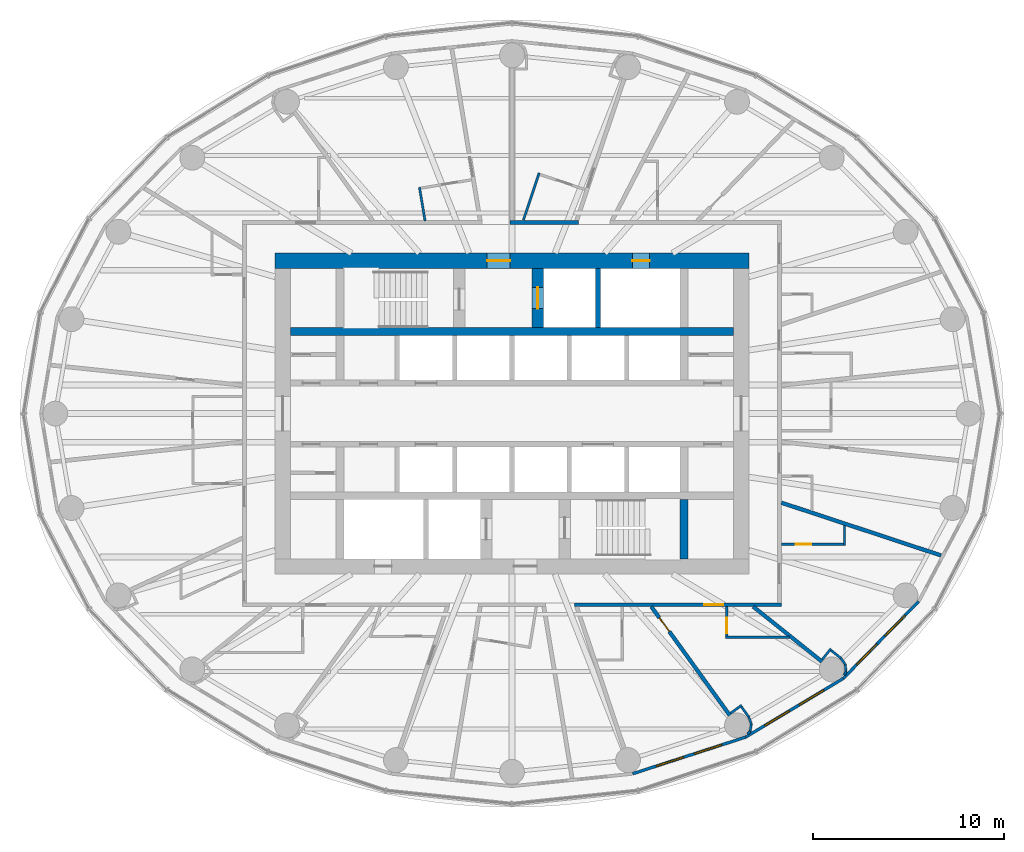
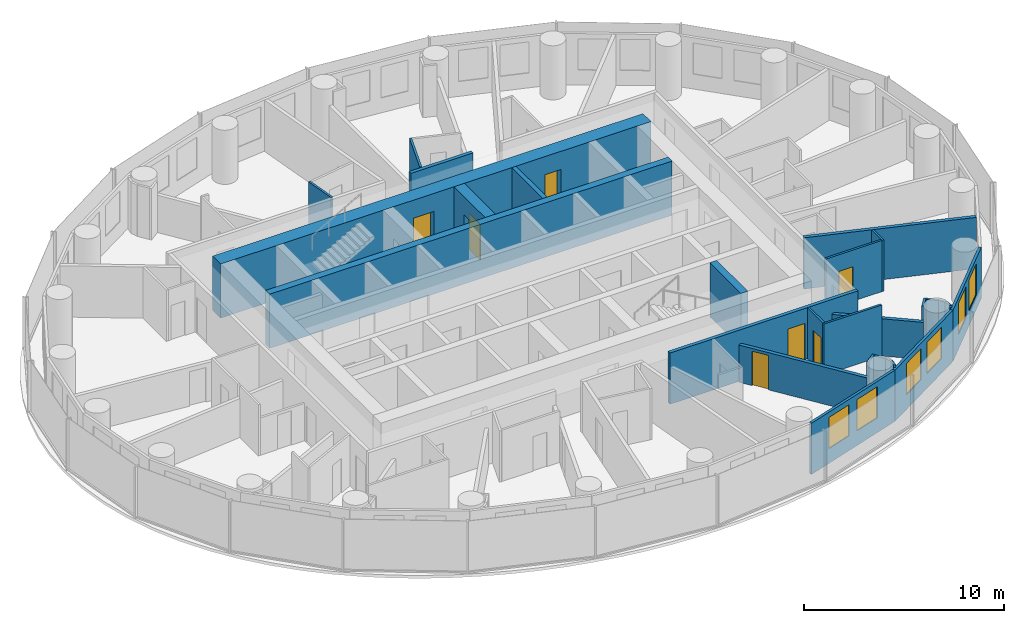
# One storey, part 9 of 13: 29 walls, 7 doors, 6 windows, 13 openings.
"""IFC4 building model written with IfcOpenShell, lengths in metres."""

from ifc_helpers import new_model, si_unit, direction, frame, frame_2d, origin, place, context, subcontext, project, spatial, rectangle, extrude, material, layer, layer_set, type_object, element, fill, save


model = new_model("IFC4")

# Units and contexts
model_context = context("Model", 3, precision=1e-05, world=origin(), true_north=direction((0.0, 1.0)))
body_context = subcontext(model_context, "Body", "Model", "MODEL_VIEW")
ifc_project = project(units=[si_unit("LENGTHUNIT", "METRE"), si_unit("AREAUNIT", "SQUARE_METRE"), si_unit("VOLUMEUNIT", "CUBIC_METRE"), si_unit("PLANEANGLEUNIT", "RADIAN"), si_unit("MASSUNIT", "GRAM", prefix="KILO")], contexts=[model_context])

# Site, building, storey
site_placement = place(None, origin())
site = spatial("IfcSite", under=ifc_project, at=site_placement, CompositionType="ELEMENT")
building_placement = place(site_placement, origin())
building = spatial("IfcBuilding", under=site, at=building_placement, Name="Hankou Lantern Tower", CompositionType="ELEMENT")
storey_placement = place(building_placement, frame((0.0, 0.0, 132.0)))
storey = spatial("IfcBuildingStorey", under=building, at=storey_placement, Name="L34", CompositionType="ELEMENT", Elevation=132.0)

# Wall, openings, doors
ifc_material_1 = material(Name="Concrete C60", Category="concrete")
ifc_layer_1 = layer(ifc_material_1, 0.800048828125)
ifc_layer_set_1 = layer_set([ifc_layer_1], Name="Concrete C60")
wall_type_1 = type_object("IfcWallType", Name="CW2 CORE WALL 800", PredefinedType="SHEAR", material=ifc_layer_set_1)
wall_1_placement = place(storey_placement, frame((-12.39990234375, 8.0, 0.0), z_axis=(0.0, 0.0, 1.0), x_axis=(1.0, 0.0, 0.0)))
wall_1 = element("IfcWall", 1, at=wall_1_placement, inside=storey, type_object=wall_type_1, Name="Core wall north L34", PredefinedType="SHEAR", context=body_context, shape_type="SweptSolid", body=[
    extrude(rectangle(XDim=24.7998046875, YDim=0.800048828125, at=frame_2d((12.39990234375, 0.0))), origin(), (0.0, 0.0, 1.0), 3.300048828125),
])
opening_1_placement = place(wall_1_placement, frame((11.10009765625, 0.0, 0.0)))
opening_1 = element("IfcOpeningElement", 2, at=opening_1_placement, cuts=wall_1, Name="Opening D5", PredefinedType="OPENING", context=body_context, shape_type="SweptSolid", body=[
    extrude(rectangle(XDim=1.199951171875, YDim=2.199951171875, at=frame_2d((0.60009765625, 1.10009765625))), frame((0.0, 0.409912109375, 0.0), z_axis=(0.0, -1.0, 0.0), x_axis=(1.0, 0.0, 0.0)), (0.0, 0.0, 1.0), 0.820068359375),
])
opening_2_placement = place(wall_1_placement, frame((18.699951171875, 0.0, 0.0)))
opening_2 = element("IfcOpeningElement", 3, at=opening_2_placement, cuts=wall_1, Name="Opening D7", PredefinedType="OPENING", context=body_context, shape_type="SweptSolid", body=[
    extrude(rectangle(XDim=0.89990234375, YDim=2.199951171875, at=frame_2d((0.449951171875, 1.10009765625))), frame((0.0, 0.409912109375, 0.0), z_axis=(0.0, -1.0, 0.0), x_axis=(1.0, 0.0, 0.0)), (0.0, 0.0, 1.0), 0.820068359375),
])
ifc_material_2 = material(Name="Steel door leaf", Category="steel")
door_type_1 = type_object("IfcDoorType", Name="D5 STAIR LOBBY DOOR 1200X2200", OperationType="SINGLE_SWING_LEFT", PredefinedType="DOOR", material=ifc_material_2)
door_1_placement = place(opening_1_placement, origin())
door_1 = element("IfcDoor", 4, at=door_1_placement, inside=storey, type_object=door_type_1, Name="Stair A lobby door", OperationType="SINGLE_SWING_LEFT", OverallHeight=2.199951171875, OverallWidth=1.199951171875, PredefinedType="DOOR", context=body_context, shape_type="SweptSolid", body=[
    extrude(rectangle(XDim=1.199951171875, YDim=2.199951171875, at=frame_2d((0.60009765625, 1.10009765625))), frame((0.0, 0.02490234375, 0.0), z_axis=(0.0, -1.0, 0.0), x_axis=(1.0, 0.0, 0.0)), (0.0, 0.0, 1.0), 0.050048828125),
])
fill(opening_1, door_1)
ifc_material_3 = material(Name="Steel door leaf", Category="steel")
door_type_2 = type_object("IfcDoorType", Name="D7 RISER DOOR 900X2200", OperationType="SINGLE_SWING_LEFT", PredefinedType="DOOR", material=ifc_material_3)
door_2_placement = place(opening_2_placement, origin())
door_2 = element("IfcDoor", 5, at=door_2_placement, inside=storey, type_object=door_type_2, Name="Riser N1 door", OperationType="SINGLE_SWING_RIGHT", OverallHeight=2.199951171875, OverallWidth=0.89990234375, PredefinedType="DOOR", context=body_context, shape_type="SweptSolid", body=[
    extrude(rectangle(XDim=0.89990234375, YDim=2.199951171875, at=frame_2d((0.449951171875, 1.10009765625))), frame((0.0, 0.02490234375, 0.0), z_axis=(0.0, -1.0, 0.0), x_axis=(1.0, 0.0, 0.0)), (0.0, 0.0, 1.0), 0.050048828125),
])
fill(opening_2, door_2)

# Walls
ifc_material_4 = material(Name="Concrete C60", Category="concrete")
ifc_layer_2 = layer(ifc_material_4, 0.39990234375)
ifc_layer_set_2 = layer_set([ifc_layer_2], Name="Concrete C60")
wall_type_2 = type_object("IfcWallType", Name="CW4 CORE CROSS WALL 400", PredefinedType="SHEAR", material=ifc_layer_set_2)
wall_2_placement = place(storey_placement, frame((-11.60009765625, 4.300048828125, 0.0), z_axis=(0.0, 0.0, 1.0), x_axis=(1.0, 0.0, 0.0)))
element("IfcWall", 6, at=wall_2_placement, inside=storey, type_object=wall_type_2, Name="Core band wall north L34", PredefinedType="SHEAR", context=body_context, shape_type="SweptSolid", body=[
    extrude(rectangle(XDim=23.2001953125, YDim=0.39990234375, at=frame_2d((11.60009765625, 0.0))), origin(), (0.0, 0.0, 1.0), 3.300048828125),
])
wall_3_placement = place(storey_placement, frame((9.0, -7.60009765625, 0.0), z_axis=(0.0, 0.0, 1.0), x_axis=(0.0, 1.0, 0.0)))
element("IfcWall", 7, at=wall_3_placement, inside=storey, type_object=wall_type_2, Name="Core strip wall L34", PredefinedType="SHEAR", context=body_context, shape_type="SweptSolid", body=[
    extrude(rectangle(XDim=3.10009765625, YDim=0.39990234375, at=frame_2d((1.550048828125, 0.0))), origin(), (0.0, 0.0, 1.0), 3.300048828125),
])

# Wall, opening, door
ifc_material_5 = material(Name="Concrete C60", Category="concrete")
ifc_layer_3 = layer(ifc_material_5, 0.60009765625)
ifc_layer_set_3 = layer_set([ifc_layer_3], Name="Concrete C60")
wall_type_3 = type_object("IfcWallType", Name="CW6 STAIR AND SHAFT WALL 600", PredefinedType="SHEAR", material=ifc_layer_set_3)
wall_4_placement = place(storey_placement, frame((1.35009765625, 4.5, 0.0), z_axis=(0.0, 0.0, 1.0), x_axis=(0.0, 1.0, 0.0)))
wall_4 = element("IfcWall", 8, at=wall_4_placement, inside=storey, type_object=wall_type_3, Name="Firefighting lift shaft wall L34", PredefinedType="SHEAR", context=body_context, shape_type="SweptSolid", body=[
    extrude(rectangle(XDim=3.10009765625, YDim=0.60009765625, at=frame_2d((1.550048828125, 0.0))), origin(), (0.0, 0.0, 1.0), 3.300048828125),
])
opening_3_placement = place(wall_4_placement, frame((1.0, 0.0, 0.0)))
opening_3 = element("IfcOpeningElement", 9, at=opening_3_placement, cuts=wall_4, Name="Opening LD2", PredefinedType="OPENING", context=body_context, shape_type="SweptSolid", body=[
    extrude(rectangle(XDim=1.10009765625, YDim=2.199951171875, at=frame_2d((0.550048828125, 1.10009765625))), frame((0.0, 0.31005859375, 0.0), z_axis=(0.0, -1.0, 0.0), x_axis=(1.0, 0.0, 0.0)), (0.0, 0.0, 1.0), 0.6201171875),
])
ifc_material_6 = material(Name="Steel door leaf", Category="steel")
door_type_3 = type_object("IfcDoorType", Name="LD2 FIREFIGHTING LIFT LANDING DOOR 1100X2200", OperationType="DOUBLE_DOOR_SLIDING", PredefinedType="DOOR", material=ifc_material_6)
door_3_placement = place(opening_3_placement, origin())
door_3 = element("IfcDoor", 10, at=door_3_placement, inside=storey, type_object=door_type_3, Name="Firefighting lift FL1 landing door", OperationType="DOUBLE_DOOR_SLIDING", OverallHeight=2.199951171875, OverallWidth=1.10009765625, PredefinedType="DOOR", context=body_context, shape_type="SweptSolid", body=[
    extrude(rectangle(XDim=1.10009765625, YDim=2.199951171875, at=frame_2d((0.550048828125, 1.10009765625))), frame((0.0, 0.02490234375, 0.0), z_axis=(0.0, -1.0, 0.0), x_axis=(1.0, 0.0, 0.0)), (0.0, 0.0, 1.0), 0.050048828125),
])
fill(opening_3, door_3)

# Wall, openings, windows
ifc_material_7 = material(Name="Aluminium spandrel panel on steel studs", Category="steel")
ifc_layer_4 = layer(ifc_material_7, 0.14990234375)
ifc_layer_set_4 = layer_set([ifc_layer_4], Name="Aluminium spandrel panel on steel studs")
wall_type_4 = type_object("IfcWallType", Name="EW1 INNER SKIN WALL 150", PredefinedType="ELEMENTEDWALL", material=ifc_layer_set_4)
wall_5_placement = place(storey_placement, frame((6.3134765625, -18.849609375, 0.0), z_axis=(0.0, 0.0, 1.0), x_axis=(0.951272691506, 0.308350881944, 0.0)))
wall_5 = element("IfcWall", 11, at=wall_5_placement, inside=storey, type_object=wall_type_4, Name="Inner skin R20-R21 L34", PredefinedType="ELEMENTEDWALL", context=body_context, shape_type="SweptSolid", body=[
    extrude(rectangle(XDim=6.210693359375, YDim=0.14990234375, at=frame_2d((3.10546875, 0.0))), origin(), (0.0, 0.0, 1.0), 3.1201171875),
])
opening_4_placement = place(wall_5_placement, frame((1.305419921875, 0.0, 0.89990234375)))
opening_4 = element("IfcOpeningElement", 12, at=opening_4_placement, cuts=wall_5, Name="Opening W2", PredefinedType="OPENING", context=body_context, shape_type="SweptSolid", body=[
    extrude(rectangle(XDim=1.5, YDim=1.89990234375, at=frame_2d((0.75, 0.949951171875))), frame((0.0, 0.0849609375, 0.0), z_axis=(0.0, -1.0, 0.0), x_axis=(1.0, 0.0, 0.0)), (0.0, 0.0, 1.0), 0.169921875),
])
opening_5_placement = place(wall_5_placement, frame((3.4052734375, 0.0, 0.89990234375)))
opening_5 = element("IfcOpeningElement", 13, at=opening_5_placement, cuts=wall_5, Name="Opening W2", PredefinedType="OPENING", context=body_context, shape_type="SweptSolid", body=[
    extrude(rectangle(XDim=1.5, YDim=1.89990234375, at=frame_2d((0.75, 0.949951171875))), frame((0.0, 0.0849609375, 0.0), z_axis=(0.0, -1.0, 0.0), x_axis=(1.0, 0.0, 0.0)), (0.0, 0.0, 1.0), 0.169921875),
])
ifc_material_8 = material(Name="Aluminium framed double glazed window", Category="aluminium")
window_type = type_object("IfcWindowType", Name="W2 GUEST ROOM WINDOW 1500X1900", PartitioningType="DOUBLE_PANEL_VERTICAL", PredefinedType="WINDOW", material=ifc_material_8)
window_1_placement = place(opening_4_placement, origin())
window_1 = element("IfcWindow", 14, at=window_1_placement, inside=storey, type_object=window_type, Name="Window R20.1 L34", OverallHeight=1.89990234375, OverallWidth=1.5, PartitioningType="SINGLE_PANEL", PredefinedType="WINDOW", context=body_context, shape_type="SweptSolid", body=[
    extrude(rectangle(XDim=1.5, YDim=1.89990234375, at=frame_2d((0.75, 0.949951171875))), frame((0.0, 0.030029296875, 0.0), z_axis=(0.0, -1.0, 0.0), x_axis=(1.0, 0.0, 0.0)), (0.0, 0.0, 1.0), 0.06005859375),
])
fill(opening_4, window_1)
window_2_placement = place(opening_5_placement, origin())
window_2 = element("IfcWindow", 15, at=window_2_placement, inside=storey, type_object=window_type, Name="Window R20.2 L34", OverallHeight=1.89990234375, OverallWidth=1.5, PartitioningType="SINGLE_PANEL", PredefinedType="WINDOW", context=body_context, shape_type="SweptSolid", body=[
    extrude(rectangle(XDim=1.5, YDim=1.89990234375, at=frame_2d((0.75, 0.949951171875))), frame((0.0, 0.030029296875, 0.0), z_axis=(0.0, -1.0, 0.0), x_axis=(1.0, 0.0, 0.0)), (0.0, 0.0, 1.0), 0.06005859375),
])
fill(opening_5, window_2)

wall_6_placement = place(storey_placement, frame((12.221435546875, -16.9345703125, 0.0), z_axis=(0.0, 0.0, 1.0), x_axis=(0.857308573723, 0.514802884044, 0.0)))
wall_6 = element("IfcWall", 16, at=wall_6_placement, inside=storey, type_object=wall_type_4, Name="Inner skin R21-R22 L34", PredefinedType="ELEMENTEDWALL", context=body_context, shape_type="SweptSolid", body=[
    extrude(rectangle(XDim=5.961181640625, YDim=0.14990234375, at=frame_2d((2.98046875, 0.0))), origin(), (0.0, 0.0, 1.0), 3.1201171875),
])
opening_6_placement = place(wall_6_placement, frame((1.1806640625, 0.0, 0.89990234375)))
opening_6 = element("IfcOpeningElement", 17, at=opening_6_placement, cuts=wall_6, Name="Opening W2", PredefinedType="OPENING", context=body_context, shape_type="SweptSolid", body=[
    extrude(rectangle(XDim=1.5, YDim=1.89990234375, at=frame_2d((0.75, 0.949951171875))), frame((0.0, 0.0849609375, 0.0), z_axis=(0.0, -1.0, 0.0), x_axis=(1.0, 0.0, 0.0)), (0.0, 0.0, 1.0), 0.169921875),
])
opening_7_placement = place(wall_6_placement, frame((3.280517578125, 0.0, 0.89990234375)))
opening_7 = element("IfcOpeningElement", 18, at=opening_7_placement, cuts=wall_6, Name="Opening W2", PredefinedType="OPENING", context=body_context, shape_type="SweptSolid", body=[
    extrude(rectangle(XDim=1.5, YDim=1.89990234375, at=frame_2d((0.75, 0.949951171875))), frame((0.0, 0.0849609375, 0.0), z_axis=(0.0, -1.0, 0.0), x_axis=(1.0, 0.0, 0.0)), (0.0, 0.0, 1.0), 0.169921875),
])
window_3_placement = place(opening_6_placement, origin())
window_3 = element("IfcWindow", 19, at=window_3_placement, inside=storey, type_object=window_type, Name="Window R21.1 L34", OverallHeight=1.89990234375, OverallWidth=1.5, PartitioningType="SINGLE_PANEL", PredefinedType="WINDOW", context=body_context, shape_type="SweptSolid", body=[
    extrude(rectangle(XDim=1.5, YDim=1.89990234375, at=frame_2d((0.75, 0.949951171875))), frame((0.0, 0.030029296875, 0.0), z_axis=(0.0, -1.0, 0.0), x_axis=(1.0, 0.0, 0.0)), (0.0, 0.0, 1.0), 0.06005859375),
])
fill(opening_6, window_3)
window_4_placement = place(opening_7_placement, origin())
window_4 = element("IfcWindow", 20, at=window_4_placement, inside=storey, type_object=window_type, Name="Window R21.2 L34", OverallHeight=1.89990234375, OverallWidth=1.5, PartitioningType="SINGLE_PANEL", PredefinedType="WINDOW", context=body_context, shape_type="SweptSolid", body=[
    extrude(rectangle(XDim=1.5, YDim=1.89990234375, at=frame_2d((0.75, 0.949951171875))), frame((0.0, 0.030029296875, 0.0), z_axis=(0.0, -1.0, 0.0), x_axis=(1.0, 0.0, 0.0)), (0.0, 0.0, 1.0), 0.06005859375),
])
fill(opening_7, window_4)

wall_7_placement = place(storey_placement, frame((17.33203125, -13.86572265625, 0.0), z_axis=(0.0, 0.0, 1.0), x_axis=(0.700136650834, 0.714008872605, 0.0)))
wall_7 = element("IfcWall", 21, at=wall_7_placement, inside=storey, type_object=wall_type_4, Name="Inner skin R22-R23 L34", PredefinedType="ELEMENTEDWALL", context=body_context, shape_type="SweptSolid", body=[
    extrude(rectangle(XDim=5.6494140625, YDim=0.14990234375, at=frame_2d((2.82470703125, 0.0))), origin(), (0.0, 0.0, 1.0), 3.1201171875),
])
opening_8_placement = place(wall_7_placement, frame((1.024658203125, 0.0, 0.89990234375)))
opening_8 = element("IfcOpeningElement", 22, at=opening_8_placement, cuts=wall_7, Name="Opening W2", PredefinedType="OPENING", context=body_context, shape_type="SweptSolid", body=[
    extrude(rectangle(XDim=1.5, YDim=1.89990234375, at=frame_2d((0.75, 0.949951171875))), frame((0.0, 0.0849609375, 0.0), z_axis=(0.0, -1.0, 0.0), x_axis=(1.0, 0.0, 0.0)), (0.0, 0.0, 1.0), 0.169921875),
])
opening_9_placement = place(wall_7_placement, frame((3.12451171875, 0.0, 0.89990234375)))
opening_9 = element("IfcOpeningElement", 23, at=opening_9_placement, cuts=wall_7, Name="Opening W2", PredefinedType="OPENING", context=body_context, shape_type="SweptSolid", body=[
    extrude(rectangle(XDim=1.5, YDim=1.89990234375, at=frame_2d((0.75, 0.949951171875))), frame((0.0, 0.0849609375, 0.0), z_axis=(0.0, -1.0, 0.0), x_axis=(1.0, 0.0, 0.0)), (0.0, 0.0, 1.0), 0.169921875),
])
window_5_placement = place(opening_8_placement, origin())
window_5 = element("IfcWindow", 24, at=window_5_placement, inside=storey, type_object=window_type, Name="Window R22.1 L34", OverallHeight=1.89990234375, OverallWidth=1.5, PartitioningType="SINGLE_PANEL", PredefinedType="WINDOW", context=body_context, shape_type="SweptSolid", body=[
    extrude(rectangle(XDim=1.5, YDim=1.89990234375, at=frame_2d((0.75, 0.949951171875))), frame((0.0, 0.030029296875, 0.0), z_axis=(0.0, -1.0, 0.0), x_axis=(1.0, 0.0, 0.0)), (0.0, 0.0, 1.0), 0.06005859375),
])
fill(opening_8, window_5)
window_6_placement = place(opening_9_placement, origin())
window_6 = element("IfcWindow", 25, at=window_6_placement, inside=storey, type_object=window_type, Name="Window R22.2 L34", OverallHeight=1.89990234375, OverallWidth=1.5, PartitioningType="SINGLE_PANEL", PredefinedType="WINDOW", context=body_context, shape_type="SweptSolid", body=[
    extrude(rectangle(XDim=1.5, YDim=1.89990234375, at=frame_2d((0.75, 0.949951171875))), frame((0.0, 0.030029296875, 0.0), z_axis=(0.0, -1.0, 0.0), x_axis=(1.0, 0.0, 0.0)), (0.0, 0.0, 1.0), 0.06005859375),
])
fill(opening_9, window_6)

# Walls
ifc_material_9 = material(Name="Masonry lightweight concrete block", Category="masonry")
ifc_layer_5 = layer(ifc_material_9, 0.199951171875)
ifc_layer_set_5 = layer_set([ifc_layer_5], Name="Masonry lightweight concrete block")
wall_type_5 = type_object("IfcWallType", Name="IW1 GUEST ROOM PARTY WALL 200", PredefinedType="PARTITIONING", material=ifc_layer_set_5)
wall_8_placement = place(storey_placement, frame((12.625, -10.10009765625, 0.0), z_axis=(0.0, 0.0, 1.0), x_axis=(0.780863644897, -0.624701503182, 0.0)))
element("IfcWall", 26, at=wall_8_placement, inside=storey, type_object=wall_type_5, Name="Party wall R22", PredefinedType="PARTITIONING", context=body_context, shape_type="SweptSolid", body=[
    extrude(rectangle(XDim=4.612060546875, YDim=0.199951171875, at=frame_2d((2.30615234375, 0.0))), origin(), (0.0, 0.0, 1.0), 2.27001953125),
])
wall_9_placement = place(storey_placement, frame((14.10009765625, -4.662353515625, 0.0), z_axis=(0.0, 0.0, 1.0), x_axis=(0.949446466373, -0.313928984789, 0.0)))
element("IfcWall", 27, at=wall_9_placement, inside=storey, type_object=wall_type_5, Name="Party wall R23-R24", PredefinedType="PARTITIONING", context=body_context, shape_type="SweptSolid", body=[
    extrude(rectangle(XDim=8.79736328125, YDim=0.199951171875, at=frame_2d((4.398681640625, 0.0))), origin(), (0.0, 0.0, 1.0), 3.1201171875),
])

# Wall, opening, door
ifc_material_10 = material(Name="Masonry lightweight concrete block", Category="masonry")
ifc_layer_6 = layer(ifc_material_10, 0.199951171875)
ifc_layer_set_6 = layer_set([ifc_layer_6], Name="Masonry lightweight concrete block")
wall_type_6 = type_object("IfcWallType", Name="IW2 CORRIDOR WALL 200", PredefinedType="PARTITIONING", material=ifc_layer_set_6)
wall_10_placement = place(storey_placement, frame((14.10009765625, -10.0, 0.0), z_axis=(0.0, 0.0, 1.0), x_axis=(-1.0, 0.0, 0.0)))
wall_10 = element("IfcWall", 28, at=wall_10_placement, inside=storey, type_object=wall_type_6, Name="Corridor wall south", PredefinedType="PARTITIONING", context=body_context, shape_type="SweptSolid", body=[
    extrude(rectangle(XDim=10.817138671875, YDim=0.199951171875, at=frame_2d((5.40869140625, 0.0))), origin(), (0.0, 0.0, 1.0), 3.1201171875),
])
opening_10_placement = place(wall_10_placement, frame((3.034912109375, 0.0, 0.0)))
opening_10 = element("IfcOpeningElement", 29, at=opening_10_placement, cuts=wall_10, Name="Opening D2", PredefinedType="OPENING", context=body_context, shape_type="SweptSolid", body=[
    extrude(rectangle(XDim=1.0, YDim=2.199951171875, at=frame_2d((0.5, 1.10009765625))), frame((0.0, 0.10986328125, 0.0), z_axis=(0.0, -1.0, 0.0), x_axis=(1.0, 0.0, 0.0)), (0.0, 0.0, 1.0), 0.219970703125),
])
ifc_material_11 = material(Name="Steel door leaf", Category="steel")
door_type_4 = type_object("IfcDoorType", Name="D2 SUITE DOOR 1000X2200", OperationType="SINGLE_SWING_LEFT", PredefinedType="DOOR", material=ifc_material_11)
door_4_placement = place(opening_10_placement, origin())
door_4 = element("IfcDoor", 30, at=door_4_placement, inside=storey, type_object=door_type_4, Name="Suite door 3414C", OperationType="SINGLE_SWING_LEFT", OverallHeight=2.199951171875, OverallWidth=1.0, PredefinedType="DOOR", context=body_context, shape_type="SweptSolid", body=[
    extrude(rectangle(XDim=1.0, YDim=2.199951171875, at=frame_2d((0.5, 1.10009765625))), frame((0.0, 0.02490234375, 0.0), z_axis=(0.0, -1.0, 0.0), x_axis=(1.0, 0.0, 0.0)), (0.0, 0.0, 1.0), 0.050048828125),
])
fill(opening_10, door_4)

# Walls
wall_11_placement = place(storey_placement, frame((-0.10009765625, 10.0, 0.0), z_axis=(0.0, 0.0, 1.0), x_axis=(1.0, 0.0, 0.0)))
element("IfcWall", 31, at=wall_11_placement, inside=storey, type_object=wall_type_6, Name="Corridor wall north", PredefinedType="PARTITIONING", context=body_context, shape_type="SweptSolid", body=[
    extrude(rectangle(XDim=3.5830078125, YDim=0.199951171875, at=frame_2d((1.79150390625, 0.0))), origin(), (0.0, 0.0, 1.0), 3.1201171875),
])
ifc_material_12 = material(Name="Masonry lightweight concrete block", Category="masonry")
ifc_layer_7 = layer(ifc_material_12, 0.1201171875)
ifc_layer_set_7 = layer_set([ifc_layer_7], Name="Masonry lightweight concrete block")
wall_type_7 = type_object("IfcWallType", Name="IW3 BATHROOM WALL 120", PredefinedType="PARTITIONING", material=ifc_layer_set_7)
wall_12_placement = place(storey_placement, frame((0.598876953125, 10.1318359375, 0.0), z_axis=(0.0, 0.0, 1.0), x_axis=(0.317554522053, 0.948240014724, 0.0)))
element("IfcWall", 32, at=wall_12_placement, inside=storey, type_object=wall_type_7, Name="Box wall 3402 1", PredefinedType="PARTITIONING", context=body_context, shape_type="SweptSolid", body=[
    extrude(rectangle(XDim=2.593994140625, YDim=0.1201171875, at=frame_2d((1.296875, 0.0))), origin(), (0.0, 0.0, 1.0), 3.1201171875),
])
wall_13_placement = place(storey_placement, frame((-4.551025390625, 10.083740234375, 0.0), z_axis=(0.0, 0.0, 1.0), x_axis=(-0.162625830583, 0.986687812445, 0.0)))
element("IfcWall", 33, at=wall_13_placement, inside=storey, type_object=wall_type_7, Name="Box wall 3404 1", PredefinedType="PARTITIONING", context=body_context, shape_type="SweptSolid", body=[
    extrude(rectangle(XDim=1.786376953125, YDim=0.1201171875, at=frame_2d((0.89306640625, 0.0))), origin(), (0.0, 0.0, 1.0), 3.1201171875),
])
wall_14_placement = place(storey_placement, frame((14.52490234375, -11.699951171875, 0.0), z_axis=(0.0, 0.0, 1.0), x_axis=(-1.0, 0.0, 0.0)))
element("IfcWall", 34, at=wall_14_placement, inside=storey, type_object=wall_type_7, Name="Box wall 3414C 1", PredefinedType="PARTITIONING", context=body_context, shape_type="SweptSolid", body=[
    extrude(rectangle(XDim=3.33984375, YDim=0.1201171875, at=frame_2d((1.669921875, 0.0))), origin(), (0.0, 0.0, 1.0), 3.1201171875),
])

# Wall, opening, door
wall_15_placement = place(storey_placement, frame((11.2451171875, -10.10009765625, 0.0), z_axis=(0.0, 0.0, 1.0), x_axis=(0.0, -1.0, 0.0)))
wall_15 = element("IfcWall", 35, at=wall_15_placement, inside=storey, type_object=wall_type_7, Name="Box wall 3414C 1", PredefinedType="PARTITIONING", context=body_context, shape_type="SweptSolid", body=[
    extrude(rectangle(XDim=1.539794921875, YDim=0.1201171875, at=frame_2d((0.77001953125, 0.0))), origin(), (0.0, 0.0, 1.0), 3.1201171875),
])
opening_11_placement = place(wall_15_placement, frame((0.590087890625, 0.0, 0.0)))
opening_11 = element("IfcOpeningElement", 36, at=opening_11_placement, cuts=wall_15, Name="Opening D3", PredefinedType="OPENING", context=body_context, shape_type="SweptSolid", body=[
    extrude(rectangle(XDim=0.800048828125, YDim=2.10009765625, at=frame_2d((0.39990234375, 1.050048828125))), frame((0.0, 0.070068359375, 0.0), z_axis=(0.0, -1.0, 0.0), x_axis=(1.0, 0.0, 0.0)), (0.0, 0.0, 1.0), 0.14013671875),
])
ifc_material_13 = material(Name="Timber door leaf", Category="wood")
door_type_5 = type_object("IfcDoorType", Name="D3 BATHROOM DOOR 800X2100", OperationType="SINGLE_SWING_LEFT", PredefinedType="DOOR", material=ifc_material_13)
door_5_placement = place(opening_11_placement, origin())
door_5 = element("IfcDoor", 37, at=door_5_placement, inside=storey, type_object=door_type_5, Name="Suite 3414 guest WC door", OperationType="SINGLE_SWING_RIGHT", OverallHeight=2.10009765625, OverallWidth=0.800048828125, PredefinedType="DOOR", context=body_context, shape_type="SweptSolid", body=[
    extrude(rectangle(XDim=0.800048828125, YDim=2.10009765625, at=frame_2d((0.39990234375, 1.050048828125))), frame((0.0, 0.02490234375, 0.0), z_axis=(0.0, -1.0, 0.0), x_axis=(1.0, 0.0, 0.0)), (0.0, 0.0, 1.0), 0.050048828125),
])
fill(opening_11, door_5)

# Wall
wall_16_placement = place(storey_placement, frame((17.39990234375, -5.853515625, 0.0), z_axis=(0.0, 0.0, 1.0), x_axis=(0.0, -1.0, 0.0)))
element("IfcWall", 38, at=wall_16_placement, inside=storey, type_object=wall_type_7, Name="Box wall 3415 1", PredefinedType="PARTITIONING", context=body_context, shape_type="SweptSolid", body=[
    extrude(rectangle(XDim=1.048828125, YDim=0.1201171875, at=frame_2d((0.5244140625, 0.0))), origin(), (0.0, 0.0, 1.0), 3.1201171875),
])

# Wall, opening, door
wall_17_placement = place(storey_placement, frame((14.10009765625, -6.84228515625, 0.0), z_axis=(0.0, 0.0, 1.0), x_axis=(1.0, 0.0, 0.0)))
wall_17 = element("IfcWall", 39, at=wall_17_placement, inside=storey, type_object=wall_type_7, Name="Box wall 3415 1", PredefinedType="PARTITIONING", context=body_context, shape_type="SweptSolid", body=[
    extrude(rectangle(XDim=3.239990234375, YDim=0.1201171875, at=frame_2d((1.6201171875, 0.0))), origin(), (0.0, 0.0, 1.0), 3.1201171875),
])
opening_12_placement = place(wall_17_placement, frame((0.75, 0.0, 0.0)))
opening_12 = element("IfcOpeningElement", 40, at=opening_12_placement, cuts=wall_17, Name="Opening D3", PredefinedType="OPENING", context=body_context, shape_type="SweptSolid", body=[
    extrude(rectangle(XDim=0.800048828125, YDim=2.10009765625, at=frame_2d((0.39990234375, 1.050048828125))), frame((0.0, 0.070068359375, 0.0), z_axis=(0.0, -1.0, 0.0), x_axis=(1.0, 0.0, 0.0)), (0.0, 0.0, 1.0), 0.14013671875),
])
door_6_placement = place(opening_12_placement, origin())
door_6 = element("IfcDoor", 41, at=door_6_placement, inside=storey, type_object=door_type_5, Name="En-suite bathroom 3415 door", OperationType="SINGLE_SWING_LEFT", OverallHeight=2.10009765625, OverallWidth=0.800048828125, PredefinedType="DOOR", context=body_context, shape_type="SweptSolid", body=[
    extrude(rectangle(XDim=0.800048828125, YDim=2.10009765625, at=frame_2d((0.39990234375, 1.050048828125))), frame((0.0, 0.02490234375, 0.0), z_axis=(0.0, -1.0, 0.0), x_axis=(1.0, 0.0, 0.0)), (0.0, 0.0, 1.0), 0.050048828125),
])
fill(opening_12, door_6)

# Walls
ifc_material_14 = material(Name="Masonry lightweight concrete block", Category="masonry")
ifc_layer_8 = layer(ifc_material_14, 0.1201171875)
ifc_layer_set_8 = layer_set([ifc_layer_8], Name="Masonry lightweight concrete block")
wall_type_8 = type_object("IfcWallType", Name="IW4 PARTITION 120", PredefinedType="PARTITIONING", material=ifc_layer_set_8)
wall_18_placement = place(storey_placement, frame((11.44091796875, -15.68212890625, 0.0), z_axis=(0.0, 0.0, 1.0), x_axis=(0.810796141244, 0.585328640461, 0.0)))
element("IfcWall", 42, at=wall_18_placement, inside=storey, type_object=wall_type_8, Name="Column casing R21 return", PredefinedType="PARTITIONING", context=body_context, shape_type="SweptSolid", body=[
    extrude(rectangle(XDim=0.7158203125, YDim=0.1201171875, at=frame_2d((0.35791015625, 0.0))), origin(), (0.0, 0.0, 1.0), 3.1201171875),
])
wall_19_placement = place(storey_placement, frame((12.0078125, -15.346923828125, 0.0), z_axis=(0.0, 0.0, 1.0), x_axis=(0.585175102182, -0.810906961239, 0.0)))
element("IfcWall", 43, at=wall_19_placement, inside=storey, type_object=wall_type_8, Name="Column casing R21", PredefinedType="PARTITIONING", context=body_context, shape_type="SweptSolid", body=[
    extrude(rectangle(XDim=0.64990234375, YDim=0.1201171875, at=frame_2d((0.324951171875, 0.0))), origin(), (0.0, 0.0, 1.0), 3.1201171875),
])
for number, where, z_axis, x_axis, name in (
    (44, (12.38818359375, -15.8740234375, 0.0), (0.0, 0.0, 1.0), (0.355086882425, -0.934833303819, 0.0), "Column casing R21"),
    (45, (12.527099609375, -16.23974609375, 0.0), (0.0, 0.0, 1.0), (-0.159134335894, -0.987256938765, 0.0), "Column casing R21"),
):
    element("IfcWall", number, at=place(storey_placement, frame(where, z_axis=z_axis, x_axis=x_axis)), inside=storey, type_object=wall_type_8, Name=name, PredefinedType="PARTITIONING", context=body_context, shape_type="SweptSolid", body=[
        extrude(rectangle(XDim=0.39111328125, YDim=0.1201171875, at=frame_2d((0.195556640625, 0.0))), origin(), (0.0, 0.0, 1.0), 3.1201171875),
    ])
wall_20_placement = place(storey_placement, frame((12.46484375, -16.6259765625, 0.0), z_axis=(0.0, 0.0, 1.0), x_axis=(-0.631672951162, -0.775234985517, 0.0)))
element("IfcWall", 46, at=wall_20_placement, inside=storey, type_object=wall_type_8, Name="Column casing R21", PredefinedType="PARTITIONING", context=body_context, shape_type="SweptSolid", body=[
    extrude(rectangle(XDim=0.18701171875, YDim=0.1201171875, at=frame_2d((0.093505859375, 0.0))), origin(), (0.0, 0.0, 1.0), 3.1201171875),
])
wall_21_placement = place(storey_placement, frame((16.241943359375, -12.865478515625, 0.0), z_axis=(0.0, 0.0, 1.0), x_axis=(0.624861414622, 0.780735686719, 0.0)))
element("IfcWall", 47, at=wall_21_placement, inside=storey, type_object=wall_type_8, Name="Column casing R22 return", PredefinedType="PARTITIONING", context=body_context, shape_type="SweptSolid", body=[
    extrude(rectangle(XDim=0.7158203125, YDim=0.1201171875, at=frame_2d((0.35791015625, 0.0))), origin(), (0.0, 0.0, 1.0), 3.1201171875),
])
wall_22_placement = place(storey_placement, frame((16.698486328125, -12.390869140625, 0.0), z_axis=(0.0, 0.0, 1.0), x_axis=(0.780722240533, -0.624878214645, 0.0)))
element("IfcWall", 48, at=wall_22_placement, inside=storey, type_object=wall_type_8, Name="Column casing R22", PredefinedType="PARTITIONING", context=body_context, shape_type="SweptSolid", body=[
    extrude(rectangle(XDim=0.650146484375, YDim=0.1201171875, at=frame_2d((0.3251953125, 0.0))), origin(), (0.0, 0.0, 1.0), 3.1201171875),
])
wall_23_placement = place(storey_placement, frame((17.2060546875, -12.797119140625, 0.0), z_axis=(0.0, 0.0, 1.0), x_axis=(0.592986095904, -0.805212698648, 0.0)))
element("IfcWall", 49, at=wall_23_placement, inside=storey, type_object=wall_type_8, Name="Column casing R22", PredefinedType="PARTITIONING", context=body_context, shape_type="SweptSolid", body=[
    extrude(rectangle(XDim=0.39111328125, YDim=0.1201171875, at=frame_2d((0.195556640625, 0.0))), origin(), (0.0, 0.0, 1.0), 3.1201171875),
])
wall_24_placement = place(storey_placement, frame((17.43798828125, -13.112060546875, 0.0), z_axis=(0.0, 0.0, 1.0), x_axis=(0.109815164188, -0.993952025862, 0.0)))
element("IfcWall", 50, at=wall_24_placement, inside=storey, type_object=wall_type_8, Name="Column casing R22", PredefinedType="PARTITIONING", context=body_context, shape_type="SweptSolid", body=[
    extrude(rectangle(XDim=0.391357421875, YDim=0.1201171875, at=frame_2d((0.19580078125, 0.0))), origin(), (0.0, 0.0, 1.0), 3.1201171875),
])
wall_25_placement = place(storey_placement, frame((17.48095703125, -13.5009765625, 0.0), z_axis=(0.0, 0.0, 1.0), x_axis=(-0.401504188288, -0.915857186895, 0.0)))
element("IfcWall", 51, at=wall_25_placement, inside=storey, type_object=wall_type_8, Name="Column casing R22", PredefinedType="PARTITIONING", context=body_context, shape_type="SweptSolid", body=[
    extrude(rectangle(XDim=0.20556640625, YDim=0.1201171875, at=frame_2d((0.102783203125, 0.0))), origin(), (0.0, 0.0, 1.0), 3.1201171875),
])

# Wall, opening, door
ifc_material_15 = material(Name="Masonry lightweight concrete block", Category="masonry")
ifc_layer_9 = layer(ifc_material_15, 0.199951171875)
ifc_layer_set_9 = layer_set([ifc_layer_9], Name="Masonry lightweight concrete block")
wall_type_9 = type_object("IfcWallType", Name="IW6 SUITE PARTITION 200", PredefinedType="PARTITIONING", material=ifc_layer_set_9)
wall_26_placement = place(storey_placement, frame((7.2890625, -10.10009765625, 0.0), z_axis=(0.0, 0.0, 1.0), x_axis=(0.585217367024, -0.81087645997, 0.0)))
wall_26 = element("IfcWall", 52, at=wall_26_placement, inside=storey, type_object=wall_type_9, Name="Suite partition R21", PredefinedType="PARTITIONING", context=body_context, shape_type="SweptSolid", body=[
    extrude(rectangle(XDim=7.01611328125, YDim=0.199951171875, at=frame_2d((3.508056640625, 0.0))), origin(), (0.0, 0.0, 1.0), 2.27001953125),
])
opening_13_placement = place(wall_26_placement, frame((0.719970703125, 0.0, 0.0)))
opening_13 = element("IfcOpeningElement", 53, at=opening_13_placement, cuts=wall_26, Name="Opening D27", PredefinedType="OPENING", context=body_context, shape_type="SweptSolid", body=[
    extrude(rectangle(XDim=0.89990234375, YDim=2.10009765625, at=frame_2d((0.449951171875, 1.050048828125))), frame((0.0, 0.10986328125, 0.0), z_axis=(0.0, -1.0, 0.0), x_axis=(1.0, 0.0, 0.0)), (0.0, 0.0, 1.0), 0.219970703125),
])
ifc_material_16 = material(Name="Timber door leaf", Category="wood")
door_type_6 = type_object("IfcDoorType", Name="D27 INTERNAL DOOR 900X2100", OperationType="SINGLE_SWING_LEFT", PredefinedType="DOOR", material=ifc_material_16)
door_7_placement = place(opening_13_placement, origin())
door_7 = element("IfcDoor", 54, at=door_7_placement, inside=storey, type_object=door_type_6, Name="Suite 3414 living room door", OperationType="SINGLE_SWING_LEFT", OverallHeight=2.10009765625, OverallWidth=0.89990234375, PredefinedType="DOOR", context=body_context, shape_type="SweptSolid", body=[
    extrude(rectangle(XDim=0.89990234375, YDim=2.10009765625, at=frame_2d((0.449951171875, 1.050048828125))), frame((0.0, 0.02490234375, 0.0), z_axis=(0.0, -1.0, 0.0), x_axis=(1.0, 0.0, 0.0)), (0.0, 0.0, 1.0), 0.050048828125),
])
fill(opening_13, door_7)

# Wall
ifc_material_17 = material(Name="Masonry autoclaved aerated concrete block", Category="masonry")
ifc_layer_10 = layer(ifc_material_17, 0.25)
ifc_layer_set_10 = layer_set([ifc_layer_10], Name="Masonry autoclaved aerated concrete block")
wall_type_10 = type_object("IfcWallType", Name="SW1 SHAFT BLOCK WALL 250", PredefinedType="PARTITIONING", material=ifc_layer_set_10)
wall_27_placement = place(storey_placement, frame((4.5, 4.5, 0.0), z_axis=(0.0, 0.0, 1.0), x_axis=(0.0, 1.0, 0.0)))
element("IfcWall", 55, at=wall_27_placement, inside=storey, type_object=wall_type_10, Name="Riser wall L34", PredefinedType="PARTITIONING", context=body_context, shape_type="SweptSolid", body=[
    extrude(rectangle(XDim=3.10009765625, YDim=0.25, at=frame_2d((1.550048828125, 0.0))), origin(), (0.0, 0.0, 1.0), 3.300048828125),
])

save(model, "model.ifc")
